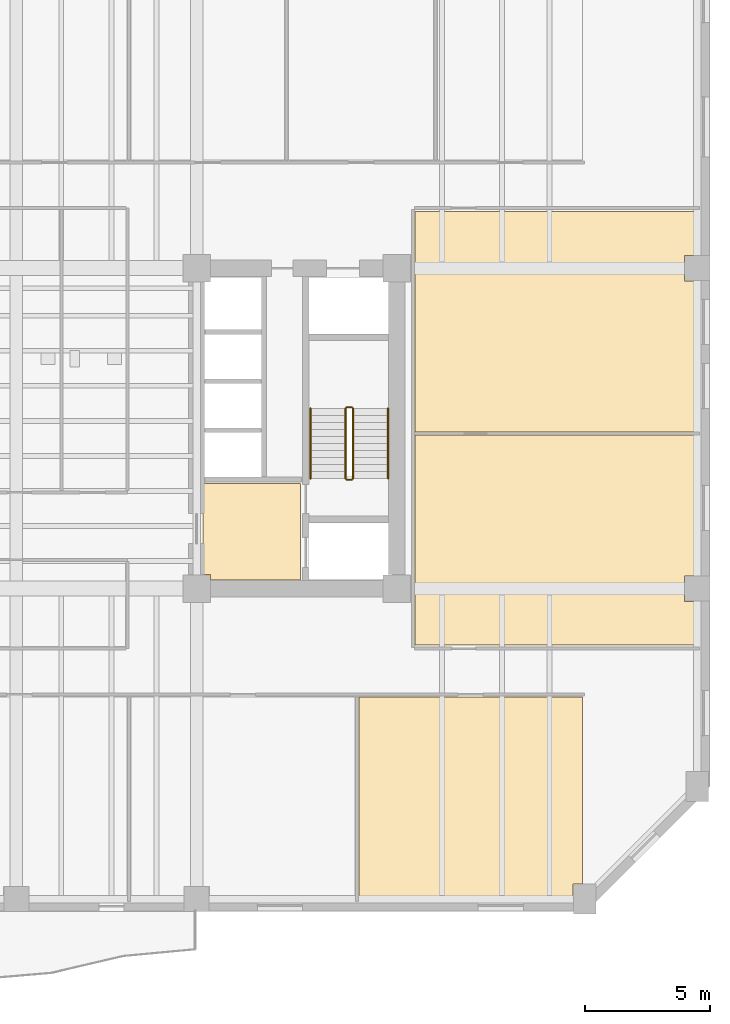
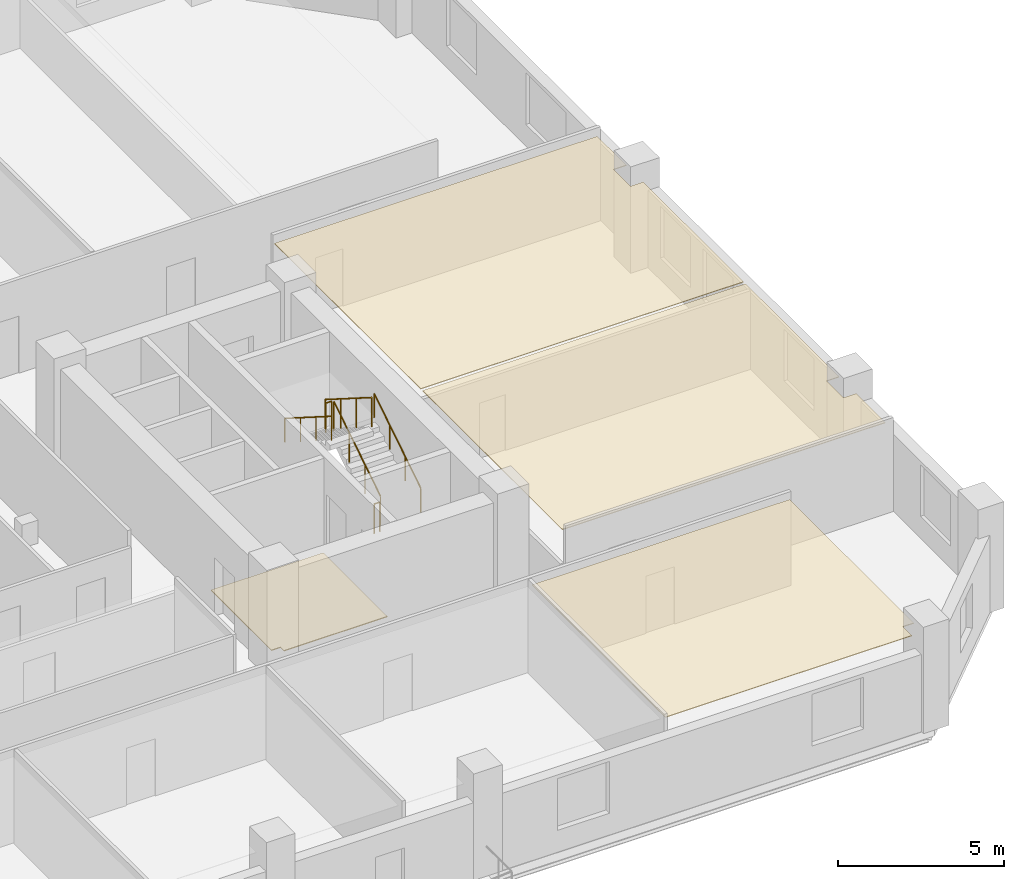
# One storey, part 10 of 12: 6 railings, 4 coverings.
"""IFC4 building model written with IfcOpenShell, lengths in metres."""

from ifc_helpers import new_model, si_unit, direction, frame, origin, origin_2d, place, context, subcontext, project, spatial, polyline, circle, outline, extrude, material, layer, layer_set, type_object, element, save


model = new_model("IFC4")

# Units and contexts
model_context = context("Model", 3, precision=1e-05, world=origin(), true_north=direction((0.0, 1.0)))
body_context = subcontext(model_context, "Body", "Model", "MODEL_VIEW")
ifc_project = project(units=[si_unit("LENGTHUNIT", "METRE"), si_unit("AREAUNIT", "SQUARE_METRE"), si_unit("VOLUMEUNIT", "CUBIC_METRE"), si_unit("PLANEANGLEUNIT", "RADIAN"), si_unit("MASSUNIT", "GRAM", prefix="KILO")], contexts=[model_context])

# Site, building, storey
site_placement = place(None, origin())
site = spatial("IfcSite", under=ifc_project, at=site_placement, CompositionType="ELEMENT")
building_placement = place(site_placement, origin())
building = spatial("IfcBuilding", under=site, at=building_placement, Name="Kranthara Brick Stack", CompositionType="ELEMENT")
storey_placement = place(building_placement, frame((0.0, 0.0, 90.60009765625)))
storey = spatial("IfcBuildingStorey", under=building, at=storey_placement, Name="L22", CompositionType="ELEMENT", Elevation=90.60009765625)

# Coverings
ifc_material_1 = material(Name="Perforated mineral-fibre acoustic ceiling tile", Category="other")
ifc_layer_1 = layer(ifc_material_1, 0.02490234375)
ifc_layer_set_1 = layer_set([ifc_layer_1], Name="Perforated mineral-fibre acoustic ceiling tile")
covering_type_1 = type_object("IfcCoveringType", Name="COV-CEIL-ACOUSTIC", PredefinedType="CEILING", material=ifc_layer_set_1)
covering_1_placement = place(storey_placement, frame((0.0, 0.0, 3.179931640625)))
element("IfcCovering", 1, at=covering_1_placement, inside=storey, type_object=covering_type_1, Name="L22 L22 Collaboration Lounge 4 Acoustic Ceiling", PredefinedType="CEILING", context=body_context, shape_type="SweptSolid", body=[
    extrude(outline(polyline([(41.679931640625, 8.469970703125), (41.679931640625, 16.47998046875), (50.6201171875, 16.47998046875), (50.6201171875, 9.010009765625), (50.239990234375, 9.010009765625), (50.239990234375, 8.469970703125), (41.679931640625, 8.469970703125)])), origin(), (0.0, 0.0, 1.0), 0.02490234375),
])
covering_2_placement = place(storey_placement, frame((0.0, 0.0, 3.179931640625)))
element("IfcCovering", 2, at=covering_2_placement, inside=storey, type_object=covering_type_1, Name="L22 L22 East Client Office 1 Acoustic Ceiling", PredefinedType="CEILING", context=body_context, shape_type="SweptSolid", body=[
    extrude(outline(polyline([(55.1298828125, 18.5400390625), (43.919921875, 18.5400390625), (43.919921875, 26.93994140625), (55.1298828125, 26.93994140625), (55.1298828125, 21.31005859375), (54.68994140625, 21.31005859375), (54.68994140625, 20.2900390625), (55.1298828125, 20.2900390625), (55.1298828125, 18.5400390625)])), origin(), (0.0, 0.0, 1.0), 0.02490234375),
])
covering_3_placement = place(storey_placement, frame((0.0, 0.0, 3.179931640625)))
element("IfcCovering", 3, at=covering_3_placement, inside=storey, type_object=covering_type_1, Name="L22 L22 East Client Office 2 Acoustic Ceiling", PredefinedType="CEILING", context=body_context, shape_type="SweptSolid", body=[
    extrude(outline(polyline([(55.1298828125, 27.06005859375), (43.919921875, 27.06005859375), (43.919921875, 35.860107421875), (55.1298828125, 35.860107421875), (55.1298828125, 34.110107421875), (54.68994140625, 34.110107421875), (54.68994140625, 33.090087890625), (55.1298828125, 33.090087890625), (55.1298828125, 27.06005859375)])), origin(), (0.0, 0.0, 1.0), 0.02490234375),
])
ifc_material_2 = material(Name="Honed terrazzo and porcelain floor finish", Category="stone")
ifc_layer_2 = layer(ifc_material_2, 0.030029296875)
ifc_layer_set_2 = layer_set([ifc_layer_2], Name="Honed terrazzo and porcelain floor finish")
covering_type_2 = type_object("IfcCoveringType", Name="COV-FLOR-STONE", PredefinedType="FLOORING", material=ifc_layer_set_2)
covering_4_placement = place(storey_placement, origin())
element("IfcCovering", 4, at=covering_4_placement, inside=storey, type_object=covering_type_2, Name="L22 Lift Lobby Stone Flooring", PredefinedType="FLOORING", context=body_context, shape_type="SweptSolid", body=[
    extrude(outline(polyline([(35.449951171875, 25.0), (39.35009765625, 25.0), (39.35009765625, 21.14990234375), (35.760009765625, 21.14990234375), (35.760009765625, 21.360107421875), (35.449951171875, 21.360107421875), (35.449951171875, 25.0)])), origin(), (0.0, 0.0, 1.0), 0.02978515625),
])

# Railings
ifc_material_3 = material(Name="Painted galvanized steel stair guardrail", Category="steel")
railing_type_1 = type_object("IfcRailingType", Name="RL-STAIR-GUARD-1100", PredefinedType="GUARDRAIL", material=ifc_material_3)
railing_1_placement = place(storey_placement, frame((41.449951171875, 25.199951171875, 0.17724609375)))
element("IfcRailing", 5, at=railing_1_placement, inside=storey, type_object=railing_type_1, Name="L22 ST02 stair guard 1", PredefinedType="GUARDRAIL", context=body_context, shape_type="SweptSolid", body=[
    extrude(circle(Radius=0.02392578125, at=origin_2d()), frame((0.0, 0.0, 1.076171875), z_axis=(0.0, 0.844908973607, 0.534910110503), x_axis=(-1.0, 0.0, 0.0)), (0.0, 0.0, 1.0), 3.31396484375),
    extrude(circle(Radius=0.02099609375, at=origin_2d()), origin(), (0.0, 0.0, 1.0), 1.052001953125),
    extrude(circle(Radius=0.02099609375, at=origin_2d()), frame((0.0, 0.933349609375, 0.5908203125)), (0.0, 0.0, 1.0), 1.052001953125),
    extrude(circle(Radius=0.02099609375, at=origin_2d()), frame((0.0, 1.86669921875, 1.181884765625)), (0.0, 0.0, 1.0), 1.052001953125),
    extrude(circle(Radius=0.02099609375, at=origin_2d()), frame((0.0, 2.800048828125, 1.772705078125)), (0.0, 0.0, 1.0), 1.052001953125),
])
railing_2_placement = place(storey_placement, frame((41.39990234375, 28.050048828125, 1.949951171875)))
element("IfcRailing", 6, at=railing_2_placement, inside=storey, type_object=railing_type_1, Name="L22 ST02 stair guard 2", PredefinedType="GUARDRAIL", context=body_context, shape_type="SweptSolid", body=[
    extrude(circle(Radius=0.02392578125, at=origin_2d()), frame((0.0, 0.0, 1.076171875), z_axis=(-1.0, 0.0, 0.0), x_axis=(0.0, -1.0, 0.0)), (0.0, 0.0, 1.0), 0.199951171875),
    extrude(circle(Radius=0.02099609375, at=origin_2d()), origin(), (0.0, 0.0, 1.0), 1.052001953125),
    extrude(circle(Radius=0.02099609375, at=origin_2d()), frame((-0.199951171875, 0.0, 0.0)), (0.0, 0.0, 1.0), 1.052001953125),
])
railing_3_placement = place(storey_placement, frame((41.14990234375, 28.0, 2.127197265625)))
element("IfcRailing", 7, at=railing_3_placement, inside=storey, type_object=railing_type_1, Name="L22 ST02 stair guard 3", PredefinedType="GUARDRAIL", context=body_context, shape_type="SweptSolid", body=[
    extrude(circle(Radius=0.02392578125, at=origin_2d()), frame((0.0, 0.0, 1.076171875), z_axis=(0.0, -0.844908973607, 0.534910110503), x_axis=(1.0, 0.0, 0.0)), (0.0, 0.0, 1.0), 3.31396484375),
    extrude(circle(Radius=0.02099609375, at=origin_2d()), origin(), (0.0, 0.0, 1.0), 1.052001953125),
    extrude(circle(Radius=0.02099609375, at=origin_2d()), frame((0.0, -0.933349609375, 0.5908203125)), (0.0, 0.0, 1.0), 1.052001953125),
    extrude(circle(Radius=0.02099609375, at=origin_2d()), frame((0.0, -1.86669921875, 1.181884765625)), (0.0, 0.0, 1.0), 1.052001953125),
    extrude(circle(Radius=0.02099609375, at=origin_2d()), frame((0.0, -2.800048828125, 1.772705078125)), (0.0, 0.0, 1.0), 1.052001953125),
])
railing_4_placement = place(storey_placement, frame((41.39990234375, 25.14990234375, 0.0)))
element("IfcRailing", 8, at=railing_4_placement, inside=storey, type_object=railing_type_1, Name="L22 ST02 stair guard 4", PredefinedType="GUARDRAIL", context=body_context, shape_type="SweptSolid", body=[
    extrude(circle(Radius=0.02392578125, at=origin_2d()), frame((0.0, 0.0, 1.076171875), z_axis=(-1.0, 0.0, 0.0), x_axis=(0.0, -1.0, 0.0)), (0.0, 0.0, 1.0), 0.199951171875),
    extrude(circle(Radius=0.02099609375, at=origin_2d()), origin(), (0.0, 0.0, 1.0), 1.052001953125),
    extrude(circle(Radius=0.02099609375, at=origin_2d()), frame((-0.199951171875, 0.0, 0.0)), (0.0, 0.0, 1.0), 1.052001953125),
])
ifc_material_4 = material(Name="Brushed stainless steel tubular handrail", Category="steel")
railing_type_2 = type_object("IfcRailingType", Name="RL-STAIR-HAND-900", PredefinedType="HANDRAIL", material=ifc_material_4)
railing_5_placement = place(storey_placement, frame((42.85009765625, 25.199951171875, 0.17724609375)))
element("IfcRailing", 9, at=railing_5_placement, inside=storey, type_object=railing_type_2, Name="L22 ST02 stair handrail 1", PredefinedType="HANDRAIL", context=body_context, shape_type="SweptSolid", body=[
    extrude(circle(Radius=0.02392578125, at=origin_2d()), frame((0.0, 0.0, 0.8759765625), z_axis=(0.0, 0.844908973607, 0.534910110503), x_axis=(-1.0, 0.0, 0.0)), (0.0, 0.0, 1.0), 3.31396484375),
    extrude(circle(Radius=0.02099609375, at=origin_2d()), origin(), (0.0, 0.0, 1.0), 0.851806640625),
    extrude(circle(Radius=0.02099609375, at=origin_2d()), frame((0.0, 0.933349609375, 0.5908203125)), (0.0, 0.0, 1.0), 0.851806640625),
    extrude(circle(Radius=0.02099609375, at=origin_2d()), frame((0.0, 1.86669921875, 1.181884765625)), (0.0, 0.0, 1.0), 0.851806640625),
    extrude(circle(Radius=0.02099609375, at=origin_2d()), frame((0.0, 2.800048828125, 1.772705078125)), (0.0, 0.0, 1.0), 0.851806640625),
])
railing_6_placement = place(storey_placement, frame((39.75, 28.0, 2.127197265625)))
element("IfcRailing", 10, at=railing_6_placement, inside=storey, type_object=railing_type_2, Name="L22 ST02 stair handrail 2", PredefinedType="HANDRAIL", context=body_context, shape_type="SweptSolid", body=[
    extrude(circle(Radius=0.02392578125, at=origin_2d()), frame((0.0, 0.0, 0.8759765625), z_axis=(0.0, -0.844908973607, 0.534910110503), x_axis=(1.0, 0.0, 0.0)), (0.0, 0.0, 1.0), 3.31396484375),
    extrude(circle(Radius=0.02099609375, at=origin_2d()), origin(), (0.0, 0.0, 1.0), 0.851806640625),
    extrude(circle(Radius=0.02099609375, at=origin_2d()), frame((0.0, -0.933349609375, 0.5908203125)), (0.0, 0.0, 1.0), 0.851806640625),
    extrude(circle(Radius=0.02099609375, at=origin_2d()), frame((0.0, -1.86669921875, 1.181884765625)), (0.0, 0.0, 1.0), 0.851806640625),
    extrude(circle(Radius=0.02099609375, at=origin_2d()), frame((0.0, -2.800048828125, 1.772705078125)), (0.0, 0.0, 1.0), 0.851806640625),
])

save(model, "model.ifc")
